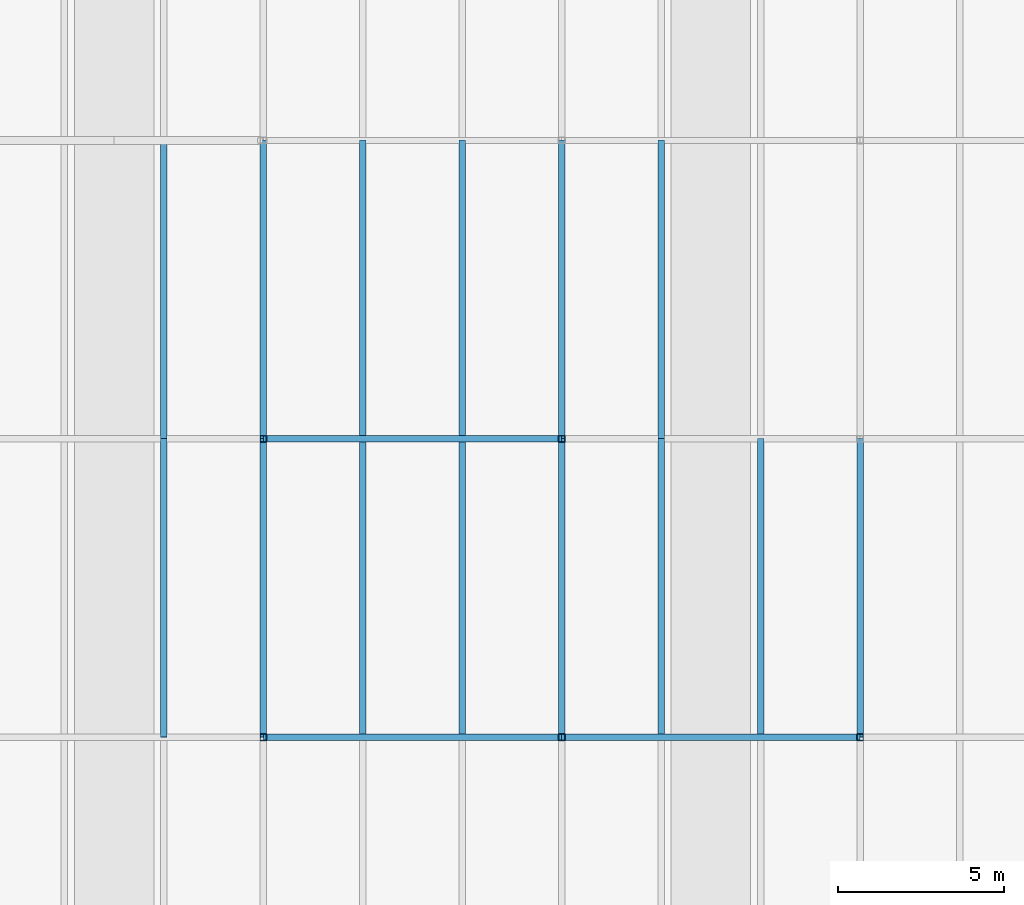
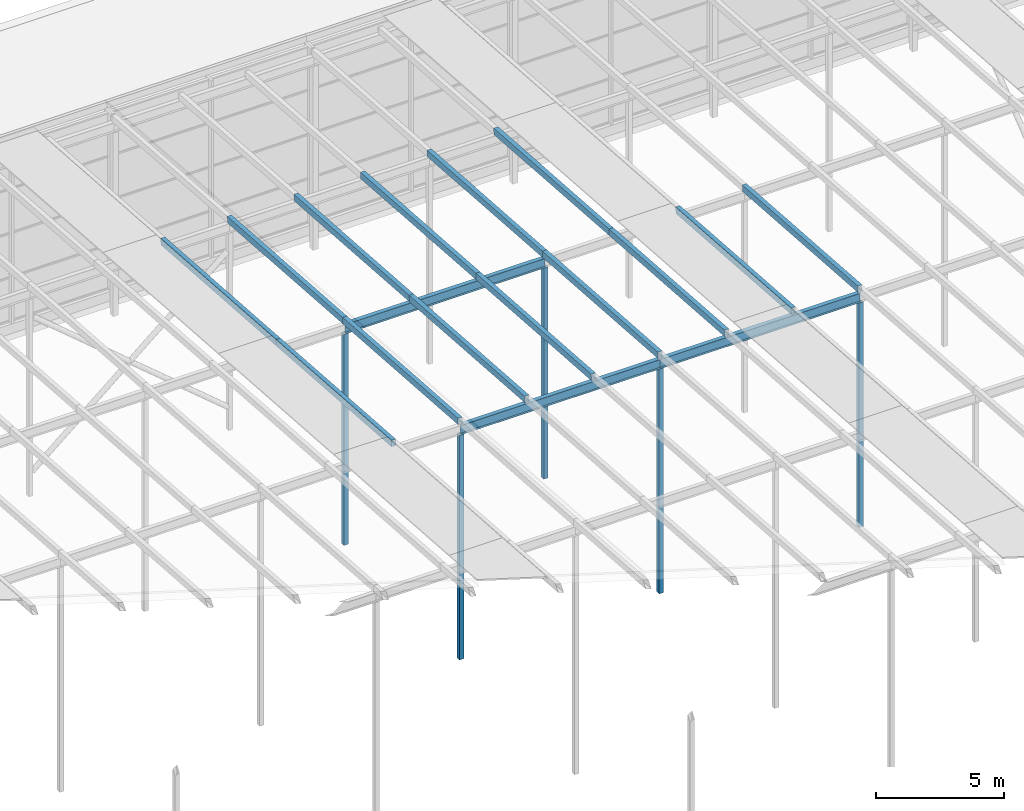
# One storey, part 41 of 84: 19 members, 3 beams.
"""IFC4 building model written with IfcOpenShell, lengths in metres."""

from ifc_helpers import new_model, si_unit, direction, frame, origin, origin_2d, place, context, subcontext, project, spatial, hollow_rectangle, i_section, extrude, material, material_profile, profile_set, type_object, element, save


model = new_model("IFC4")

# Units and contexts
model_context = context("Model", 3, precision=1e-05, world=origin(), true_north=direction((0.0, 1.0)))
body_context = subcontext(model_context, "Body", "Model", "MODEL_VIEW")
ifc_project = project(units=[si_unit("LENGTHUNIT", "METRE"), si_unit("AREAUNIT", "SQUARE_METRE"), si_unit("VOLUMEUNIT", "CUBIC_METRE"), si_unit("PLANEANGLEUNIT", "RADIAN"), si_unit("MASSUNIT", "GRAM", prefix="KILO")], contexts=[model_context])

# Site, building, storey
site_placement = place(None, origin())
site = spatial("IfcSite", under=ifc_project, at=site_placement, CompositionType="ELEMENT")
building_placement = place(site_placement, origin())
building = spatial("IfcBuilding", under=site, at=building_placement, Name="Silverbay Arena", CompositionType="ELEMENT")
storey_placement = place(building_placement, frame((0.0, 0.0, 47.10009765625)))
storey = spatial("IfcBuildingStorey", under=building, at=storey_placement, Name="ROOF", CompositionType="ELEMENT", Elevation=47.10009765625)

# Members
ifc_material_1 = material(Name="Steel S355", Category="steel")
ifc_material_profile_1 = material_profile(ifc_material_1, hollow_rectangle(XDim=0.199951171875, YDim=0.300048828125, WallThickness=0.00634765625, at=origin_2d()), Name="RHS 300x200x6.3")
ifc_profile_set_1 = profile_set([ifc_material_profile_1], Name="Steel S355")
member_type_1 = type_object("IfcMemberType", Name="Purlin RHS 300x200x6.3", PredefinedType="PURLIN", material=ifc_profile_set_1)
for number, where, z_axis, x_axis, name in (
    (1, (132.0, 108.0, 10.699462890625), (0.0, 0.997402911363, -0.072023832195), (-1.0, 0.0, 0.0), "ROOF PURLIN crown line 18 bay 10"),
    (2, (132.0, 117.0, 10.049560546875), (0.0, 0.997400967367, -0.07205074805), (-1.0, 0.0, 0.0), "ROOF PURLIN crown line 18 bay 11"),
    (3, (135.0, 108.0, 10.699462890625), (0.0, 0.997402911363, -0.072023832195), (-1.0, 0.0, 0.0), "ROOF PURLIN crown line 19 bay 10"),
    (4, (135.0, 117.0, 10.049560546875), (0.0, 0.997400967367, -0.07205074805), (-1.0, 0.0, 0.0), "ROOF PURLIN crown line 19 bay 11"),
    (5, (138.0, 108.0, 10.699462890625), (0.0, 0.997402911363, -0.072023832195), (-1.0, 0.0, 0.0), "ROOF PURLIN crown line 20 bay 10"),
    (6, (138.0, 117.0, 10.049560546875), (0.0, 0.997400967367, -0.07205074805), (-1.0, 0.0, 0.0), "ROOF PURLIN crown line 20 bay 11"),
    (7, (141.0, 108.0, 10.699462890625), (0.0, 0.997402911363, -0.072023832195), (-1.0, 0.0, 0.0), "ROOF PURLIN crown line 21 bay 10"),
    (8, (141.0, 117.0, 10.049560546875), (0.0, 0.997400967367, -0.07205074805), (-1.0, 0.0, 0.0), "ROOF PURLIN crown line 21 bay 11"),
    (9, (144.0, 108.0, 10.699462890625), (0.0, 0.997402911363, -0.072023832195), (-1.0, 0.0, 0.0), "ROOF PURLIN crown line 22 bay 10"),
    (10, (144.0, 117.0, 10.049560546875), (0.0, 0.997400967367, -0.07205074805), (-1.0, 0.0, 0.0), "ROOF PURLIN crown line 22 bay 11"),
    (11, (147.0, 108.0, 10.699462890625), (0.0, 0.997402911363, -0.072023832195), (-1.0, 0.0, 0.0), "ROOF PURLIN crown line 23 bay 10"),
    (12, (147.0, 117.0, 10.049560546875), (0.0, 0.997400967367, -0.07205074805), (-1.0, 0.0, 0.0), "ROOF PURLIN crown line 23 bay 11"),
    (13, (150.0, 108.0, 10.699462890625), (0.0, 0.997402911363, -0.072023832195), (-1.0, 0.0, 0.0), "ROOF PURLIN crown line 24 bay 10"),
    (14, (153.0, 108.0, 10.699462890625), (0.0, 0.997402911363, -0.072023832195), (-1.0, 0.0, 0.0), "ROOF PURLIN crown line 25 bay 10"),
):
    element("IfcMember", number, at=place(storey_placement, frame(where, z_axis=z_axis, x_axis=x_axis)), inside=storey, type_object=member_type_1, Name=name, PredefinedType="PURLIN", context=body_context, shape_type="SweptSolid", body=[
        extrude(hollow_rectangle(XDim=0.199951171875, YDim=0.300048828125, WallThickness=0.00634765625, at=origin_2d()), origin(), (0.0, 0.0, 1.0), 9.0234375),
    ])

# Beams
ifc_material_2 = material(Name="Steel S355", Category="steel")
ifc_material_profile_2 = material_profile(ifc_material_2, i_section(OverallWidth=0.18994140625, OverallDepth=0.453369140625, WebThickness=0.008544921875, FlangeThickness=0.0126953125, at=origin_2d()), Name="UB 457x191x67")
ifc_profile_set_2 = profile_set([ifc_material_profile_2], Name="Steel S355")
beam_type = type_object("IfcBeamType", Name="Ring beam UB 457x191x67", PredefinedType="BEAM", material=ifc_profile_set_2)
for number, where, z_axis, x_axis, name in (
    (15, (135.0, 108.0, 10.322509765625), (1.0, 0.0, 0.0), (0.0, 1.0, 0.0), "RING BEAM crown row 10 16-17"),
    (16, (144.0, 108.0, 10.322509765625), (1.0, 0.0, 0.0), (0.0, 1.0, 0.0), "RING BEAM crown row 10 17-18"),
    (17, (135.0, 117.0, 9.67236328125), (1.0, 0.0, 0.0), (0.0, 1.0, 0.0), "RING BEAM crown row 11 16-17"),
):
    element("IfcBeam", number, at=place(storey_placement, frame(where, z_axis=z_axis, x_axis=x_axis)), inside=storey, type_object=beam_type, Name=name, PredefinedType="BEAM", context=body_context, shape_type="SweptSolid", body=[
        extrude(i_section(OverallWidth=0.18994140625, OverallDepth=0.453369140625, WebThickness=0.008544921875, FlangeThickness=0.0126953125, at=origin_2d()), origin(), (0.0, 0.0, 1.0), 9.0),
    ])

# Members
ifc_material_3 = material(Name="Steel S355", Category="steel")
ifc_material_profile_3 = material_profile(ifc_material_3, hollow_rectangle(XDim=0.199951171875, YDim=0.199951171875, WallThickness=0.008056640625, at=origin_2d()), Name="SHS 200x200x8")
ifc_profile_set_3 = profile_set([ifc_material_profile_3], Name="Steel S355")
member_type_2 = type_object("IfcMemberType", Name="Roof post SHS 200x200x8", PredefinedType="POST", material=ifc_profile_set_3)
member_1_placement = place(storey_placement, frame((135.0, 108.0, -0.60009765625), z_axis=(0.0, 0.0, 1.0), x_axis=(1.0, 0.0, 0.0)))
element("IfcMember", 18, at=member_1_placement, inside=storey, type_object=member_type_2, Name="ROOF CROWN POST 16 row 10", PredefinedType="POST", context=body_context, shape_type="SweptSolid", body=[
    extrude(hollow_rectangle(XDim=0.199951171875, YDim=0.199951171875, WallThickness=0.008056640625, at=origin_2d()), origin(), (0.0, 0.0, 1.0), 10.69580078125),
])
member_2_placement = place(storey_placement, frame((135.0, 117.0, -0.60009765625), z_axis=(0.0, 0.0, 1.0), x_axis=(1.0, 0.0, 0.0)))
element("IfcMember", 19, at=member_2_placement, inside=storey, type_object=member_type_2, Name="ROOF CROWN POST 16 row 11", PredefinedType="POST", context=body_context, shape_type="SweptSolid", body=[
    extrude(hollow_rectangle(XDim=0.199951171875, YDim=0.199951171875, WallThickness=0.008056640625, at=origin_2d()), origin(), (0.0, 0.0, 1.0), 10.0458984375),
])
member_3_placement = place(storey_placement, frame((144.0, 108.0, -0.60009765625), z_axis=(0.0, 0.0, 1.0), x_axis=(1.0, 0.0, 0.0)))
element("IfcMember", 20, at=member_3_placement, inside=storey, type_object=member_type_2, Name="ROOF CROWN POST 17 row 10", PredefinedType="POST", context=body_context, shape_type="SweptSolid", body=[
    extrude(hollow_rectangle(XDim=0.199951171875, YDim=0.199951171875, WallThickness=0.008056640625, at=origin_2d()), origin(), (0.0, 0.0, 1.0), 10.69580078125),
])
member_4_placement = place(storey_placement, frame((144.0, 117.0, -0.60009765625), z_axis=(0.0, 0.0, 1.0), x_axis=(1.0, 0.0, 0.0)))
element("IfcMember", 21, at=member_4_placement, inside=storey, type_object=member_type_2, Name="ROOF CROWN POST 17 row 11", PredefinedType="POST", context=body_context, shape_type="SweptSolid", body=[
    extrude(hollow_rectangle(XDim=0.199951171875, YDim=0.199951171875, WallThickness=0.008056640625, at=origin_2d()), origin(), (0.0, 0.0, 1.0), 10.0458984375),
])
member_5_placement = place(storey_placement, frame((153.0, 108.0, -0.60009765625), z_axis=(0.0, 0.0, 1.0), x_axis=(1.0, 0.0, 0.0)))
element("IfcMember", 22, at=member_5_placement, inside=storey, type_object=member_type_2, Name="ROOF CROWN POST 18 row 10", PredefinedType="POST", context=body_context, shape_type="SweptSolid", body=[
    extrude(hollow_rectangle(XDim=0.199951171875, YDim=0.199951171875, WallThickness=0.008056640625, at=origin_2d()), origin(), (0.0, 0.0, 1.0), 10.69580078125),
])

save(model, "model.ifc")
